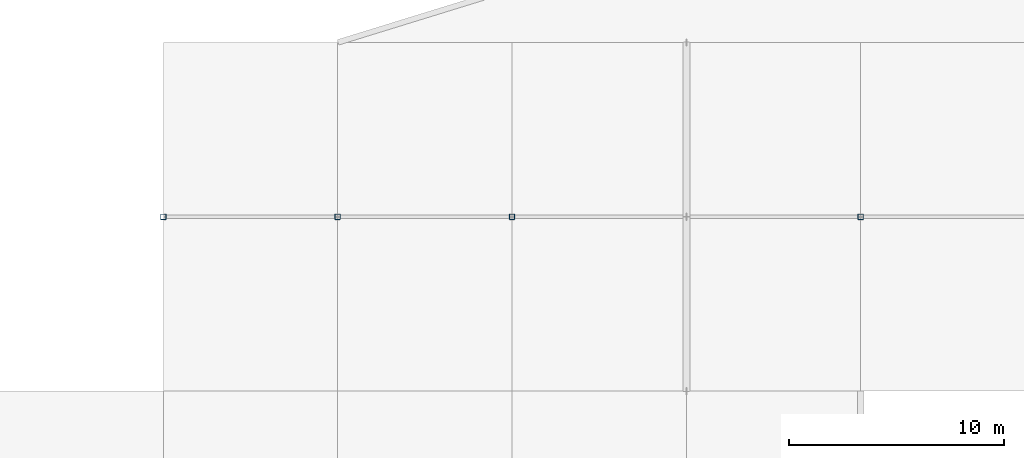
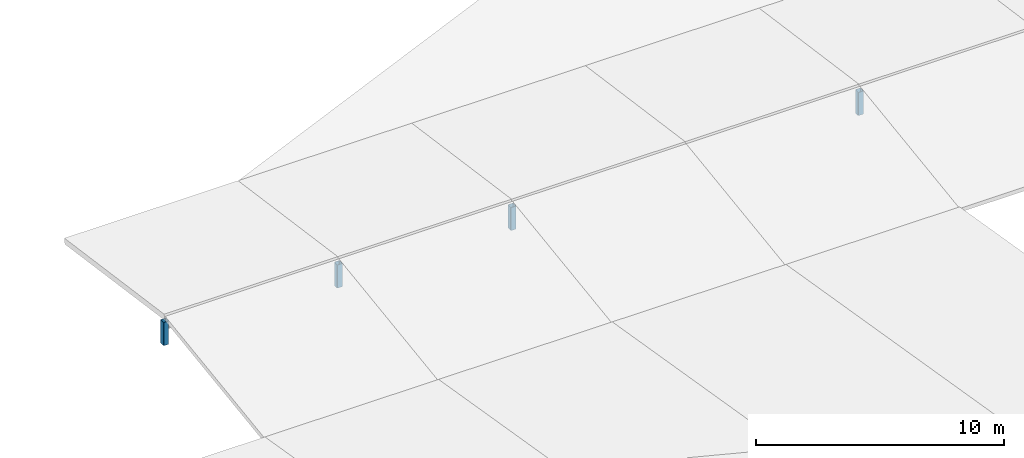
# One storey, part 1 of 70: 4 columns.
"""IFC4 building model written with IfcOpenShell, lengths in metres."""

from ifc_helpers import new_model, si_unit, direction, frame, origin, origin_2d, place, context, subcontext, project, spatial, hollow_rectangle, extrude, material, material_profile, profile_set, type_object, element, save


model = new_model("IFC4")

# Units and contexts
model_context = context("Model", 3, precision=1e-05, world=origin(), true_north=direction((0.0, 1.0)))
body_context = subcontext(model_context, "Body", "Model", "MODEL_VIEW")
ifc_project = project(units=[si_unit("LENGTHUNIT", "METRE"), si_unit("AREAUNIT", "SQUARE_METRE"), si_unit("VOLUMEUNIT", "CUBIC_METRE"), si_unit("PLANEANGLEUNIT", "RADIAN"), si_unit("MASSUNIT", "GRAM", prefix="KILO")], contexts=[model_context])

# Site, building, storey
site_placement = place(None, origin())
site = spatial("IfcSite", under=ifc_project, at=site_placement, CompositionType="ELEMENT")
building_placement = place(site_placement, origin())
building = spatial("IfcBuilding", under=site, at=building_placement, Name="Vaudrelin Polytechnic", CompositionType="ELEMENT")
storey_placement = place(building_placement, frame((0.0, 0.0, 14.110107421875)))
storey = spatial("IfcBuildingStorey", under=building, at=storey_placement, Name="L03", CompositionType="ELEMENT", Elevation=14.110107421875)

# Columns
ifc_material = material(Name="Steel CSA G40.21 350W", Category="steel")
ifc_material_profile = material_profile(ifc_material, hollow_rectangle(XDim=0.25390625, YDim=0.25390625, WallThickness=0.0126953125, InnerFilletRadius=0.0126953125, OuterFilletRadius=0.025390625, at=origin_2d()), Name="HSS254x254x12.7")
ifc_profile_set = profile_set([ifc_material_profile], Name="Steel CSA G40.21 350W")
column_type = type_object("IfcColumnType", Name="COL-C-HSS254", PredefinedType="COLUMN", material=ifc_profile_set)
for number, where, z_axis, x_axis, name in (
    (1, (48.60009765625, 40.5, 0.0), (0.0, 0.0, 1.0), (1.0, 0.0, 0.0), "Winter-garden ridge king-post 6"),
    (2, (56.699951171875, 40.5, 0.0), (0.0, 0.0, 1.0), (1.0, 0.0, 0.0), "Winter-garden ridge king-post 7"),
    (3, (64.800048828125, 40.5, 0.0), (0.0, 0.0, 1.0), (1.0, 0.0, 0.0), "Winter-garden ridge king-post 8"),
    (4, (81.0, 40.5, 0.0), (0.0, 0.0, 1.0), (1.0, 0.0, 0.0), "Winter-garden ridge king-post 10"),
):
    element("IfcColumn", number, at=place(storey_placement, frame(where, z_axis=z_axis, x_axis=x_axis)), inside=storey, type_object=column_type, Name=name, PredefinedType="COLUMN", context=body_context, shape_type="SweptSolid", body=[
        extrude(hollow_rectangle(XDim=0.25390625, YDim=0.25390625, WallThickness=0.0126953125, InnerFilletRadius=0.0126953125, OuterFilletRadius=0.025390625, at=origin_2d()), origin(), (0.0, 0.0, 1.0), 1.13818359375),
    ])

save(model, "model.ifc")
